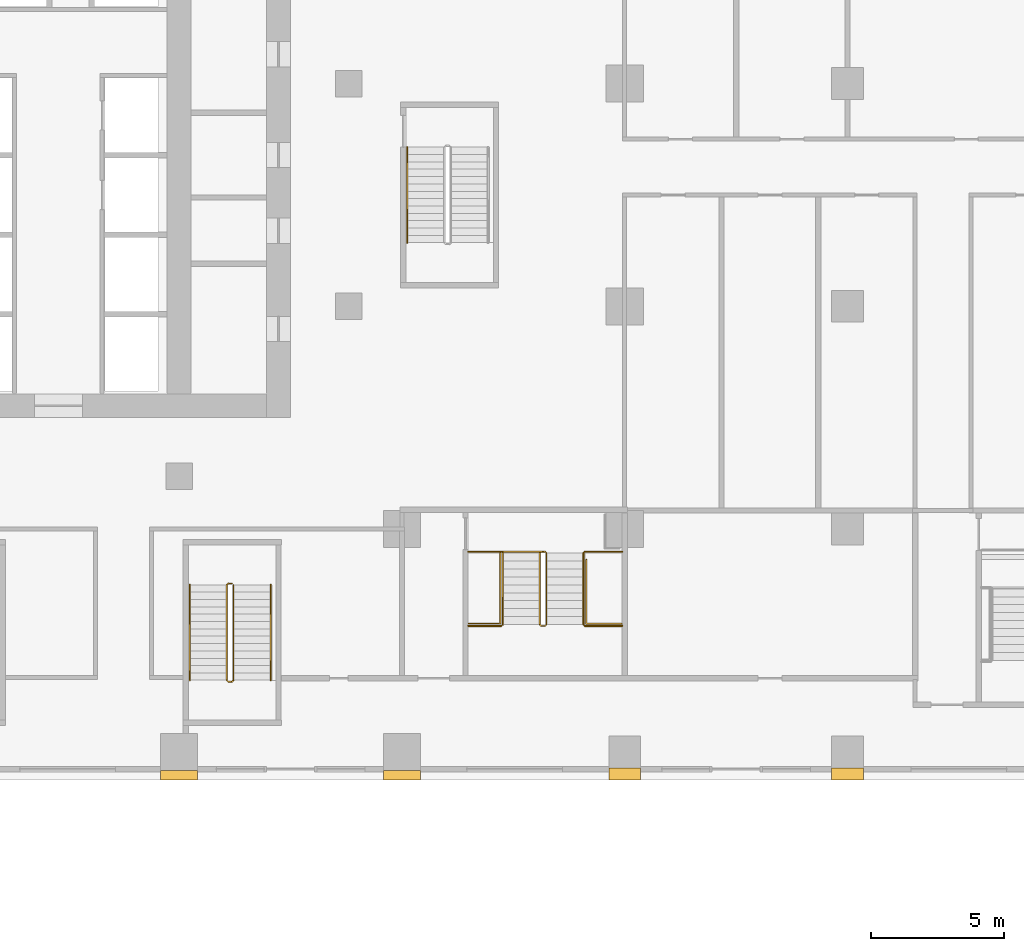
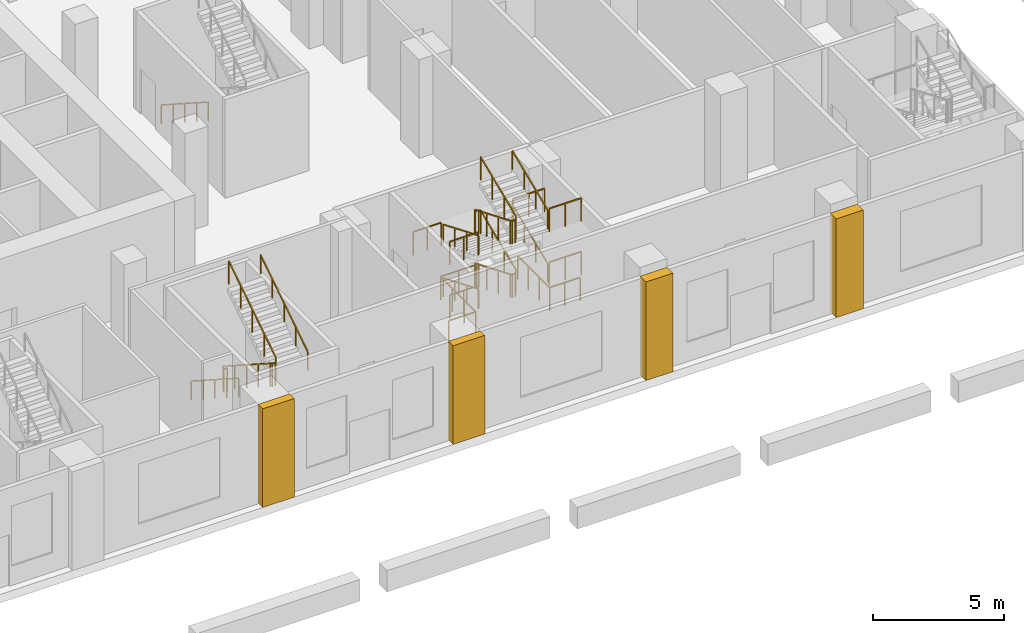
# One storey, part 15 of 21: 17 railings, 4 coverings.
"""IFC4 building model written with IfcOpenShell, lengths in metres."""

from ifc_helpers import new_model, si_unit, direction, frame, origin, origin_2d, place, context, subcontext, project, spatial, polyline, rectangle, outline, extrude, material, type_object, element, save


model = new_model("IFC4")

# Units and contexts
model_context = context("Model", 3, precision=1e-05, world=origin(), true_north=direction((0.0, 1.0)))
body_context = subcontext(model_context, "Body", "Model", "MODEL_VIEW")
ifc_project = project(units=[si_unit("LENGTHUNIT", "METRE"), si_unit("AREAUNIT", "SQUARE_METRE"), si_unit("VOLUMEUNIT", "CUBIC_METRE"), si_unit("PLANEANGLEUNIT", "RADIAN"), si_unit("MASSUNIT", "GRAM", prefix="KILO")], contexts=[model_context])

# Site, building, storey
site_placement = place(None, origin())
site = spatial("IfcSite", under=ifc_project, at=site_placement, CompositionType="ELEMENT")
building_placement = place(site_placement, origin())
building = spatial("IfcBuilding", under=site, at=building_placement, Name="Vermilion Ogive Tower", CompositionType="ELEMENT")
storey_placement = place(building_placement, frame((0.0, 0.0, 25.0)))
storey = spatial("IfcBuildingStorey", under=building, at=storey_placement, Name="L04", CompositionType="ELEMENT", Elevation=25.0)

# Railings
ifc_material_1 = material(Name="Steel S355 painted", Category="steel")
railing_type_1 = type_object("IfcRailingType", Name="Stair guard 1100", PredefinedType="GUARDRAIL", material=ifc_material_1)
railing_1_placement = place(storey_placement, frame((10.39990234375, -14.64990234375, 0.0)))
element("IfcRailing", 1, at=railing_1_placement, inside=storey, type_object=railing_type_1, Name="L04 ST5 stair guard 4", PredefinedType="GUARDRAIL", context=body_context, shape_type="SweptSolid", body=[
    extrude(rectangle(XDim=0.048095703125, YDim=0.048095703125, at=origin_2d()), frame((0.0, 0.0, 1.076171875), z_axis=(-1.0, 0.0, 0.0), x_axis=(0.0, -1.0, 0.0)), (0.0, 0.0, 1.0), 0.14990234375),
    extrude(rectangle(XDim=0.048095703125, YDim=0.048095703125, at=origin_2d()), frame((-0.14990234375, 0.0, 1.076171875), z_axis=(-0.260684529273, -0.260684529273, 0.929562882432), x_axis=(0.707106781187, -0.707106781187, 0.0)), (0.0, 0.0, 1.0), 0.19189453125),
    extrude(rectangle(XDim=0.048095703125, YDim=0.048095703125, at=origin_2d()), frame((-0.199951171875, -0.050048828125, 1.25439453125), z_axis=(0.0, -0.840414717549, 0.541943818607), x_axis=(1.0, 0.0, 0.0)), (0.0, 0.0, 1.0), 4.28369140625),
    extrude(rectangle(XDim=0.048095703125, YDim=0.048095703125, at=origin_2d()), frame((-0.199951171875, -3.650146484375, 3.576171875), z_axis=(0.707106781187, -0.707106781187, 0.0), x_axis=(0.707106781187, 0.707106781187, 0.0)), (0.0, 0.0, 1.0), 0.07080078125),
    extrude(rectangle(XDim=0.048095703125, YDim=0.048095703125, at=origin_2d()), frame((-0.14990234375, -3.7001953125, 3.576171875), z_axis=(1.0, 0.0, 0.0), x_axis=(0.0, 1.0, 0.0)), (0.0, 0.0, 1.0), 0.14990234375),
    extrude(rectangle(XDim=0.048095703125, YDim=0.048095703125, at=origin_2d()), frame((0.0, -3.7001953125, 3.576171875), z_axis=(0.260684529273, 0.260684529273, 0.929562882432), x_axis=(-0.707106781187, 0.707106781187, 0.0)), (0.0, 0.0, 1.0), 0.19189453125),
    extrude(rectangle(XDim=0.048095703125, YDim=0.048095703125, at=origin_2d()), frame((0.050048828125, -3.650146484375, 3.75439453125), z_axis=(0.0, 0.840414717549, 0.541943818607), x_axis=(-1.0, 0.0, 0.0)), (0.0, 0.0, 1.0), 4.28369140625),
    extrude(rectangle(XDim=0.0419921875, YDim=0.0419921875, at=origin_2d()), origin(), (0.0, 0.0, 1.0), 1.052001953125),
    extrude(rectangle(XDim=0.0419921875, YDim=0.0419921875, at=origin_2d()), frame((-0.14990234375, 0.0, 0.0)), (0.0, 0.0, 1.0), 1.052001953125),
    extrude(rectangle(XDim=0.0419921875, YDim=0.0419921875, at=origin_2d()), frame((-0.199951171875, -0.050048828125, 0.178466796875)), (0.0, 0.0, 1.0), 1.052001953125),
    extrude(rectangle(XDim=0.0419921875, YDim=0.0419921875, at=origin_2d()), frame((-0.199951171875, -0.9501953125, 0.7587890625)), (0.0, 0.0, 1.0), 1.052001953125),
    extrude(rectangle(XDim=0.0419921875, YDim=0.0419921875, at=origin_2d()), frame((-0.199951171875, -1.85009765625, 1.33935546875)), (0.0, 0.0, 1.0), 1.052001953125),
    extrude(rectangle(XDim=0.0419921875, YDim=0.0419921875, at=origin_2d()), frame((-0.199951171875, -2.75, 1.919677734375)), (0.0, 0.0, 1.0), 1.052001953125),
    extrude(rectangle(XDim=0.0419921875, YDim=0.0419921875, at=origin_2d()), frame((-0.199951171875, -3.650146484375, 2.5)), (0.0, 0.0, 1.0), 1.052001953125),
    extrude(rectangle(XDim=0.0419921875, YDim=0.0419921875, at=origin_2d()), frame((-0.14990234375, -3.7001953125, 2.5)), (0.0, 0.0, 1.0), 1.052001953125),
    extrude(rectangle(XDim=0.0419921875, YDim=0.0419921875, at=origin_2d()), frame((0.0, -3.7001953125, 2.5)), (0.0, 0.0, 1.0), 1.052001953125),
    extrude(rectangle(XDim=0.0419921875, YDim=0.0419921875, at=origin_2d()), frame((0.050048828125, -3.650146484375, 2.678466796875)), (0.0, 0.0, 1.0), 1.052001953125),
    extrude(rectangle(XDim=0.0419921875, YDim=0.0419921875, at=origin_2d()), frame((0.050048828125, -2.75, 3.2587890625)), (0.0, 0.0, 1.0), 1.052001953125),
    extrude(rectangle(XDim=0.0419921875, YDim=0.0419921875, at=origin_2d()), frame((0.050048828125, -1.85009765625, 3.83935546875)), (0.0, 0.0, 1.0), 1.052001953125),
    extrude(rectangle(XDim=0.0419921875, YDim=0.0419921875, at=origin_2d()), frame((0.050048828125, -0.9501953125, 4.419677734375)), (0.0, 0.0, 1.0), 1.052001953125),
    extrude(rectangle(XDim=0.0419921875, YDim=0.0419921875, at=origin_2d()), frame((0.050048828125, -0.050048828125, 5.0)), (0.0, 0.0, 1.0), 1.052001953125),
])
railing_2_placement = place(storey_placement, frame((22.199951171875, -13.449951171875, 0.0)))
element("IfcRailing", 2, at=railing_2_placement, inside=storey, type_object=railing_type_1, Name="L04 PS3 stair guard 8", PredefinedType="GUARDRAIL", context=body_context, shape_type="SweptSolid", body=[
    extrude(rectangle(XDim=0.048095703125, YDim=0.048095703125, at=origin_2d()), frame((0.0, 0.0, 1.076171875), z_axis=(-1.0, 0.0, 0.0), x_axis=(0.0, -1.0, 0.0)), (0.0, 0.0, 1.0), 0.14990234375),
    extrude(rectangle(XDim=0.048095703125, YDim=0.048095703125, at=origin_2d()), frame((-0.14990234375, 0.0, 1.076171875), z_axis=(-0.34841279274, -0.34841279274, 0.870182194549), x_axis=(0.707106781187, -0.707106781187, 0.0)), (0.0, 0.0, 1.0), 0.1435546875),
    extrude(rectangle(XDim=0.048095703125, YDim=0.048095703125, at=origin_2d()), frame((-0.199951171875, -0.050048828125, 1.201171875), z_axis=(0.0, -0.923074453586, 0.384621311341), x_axis=(1.0, 0.0, 0.0)), (0.0, 0.0, 1.0), 2.925048828125),
    extrude(rectangle(XDim=0.048095703125, YDim=0.048095703125, at=origin_2d()), frame((-0.199951171875, -2.75, 2.326171875), z_axis=(0.707106781187, -0.707106781187, 0.0), x_axis=(0.707106781187, 0.707106781187, 0.0)), (0.0, 0.0, 1.0), 0.07080078125),
    extrude(rectangle(XDim=0.048095703125, YDim=0.048095703125, at=origin_2d()), frame((-0.14990234375, -2.800048828125, 2.326171875), z_axis=(1.0, 0.0, 0.0), x_axis=(0.0, 1.0, 0.0)), (0.0, 0.0, 1.0), 0.14990234375),
    extrude(rectangle(XDim=0.048095703125, YDim=0.048095703125, at=origin_2d()), frame((0.0, -2.800048828125, 2.326171875), z_axis=(0.34841279274, 0.34841279274, 0.870182194549), x_axis=(-0.707106781187, 0.707106781187, 0.0)), (0.0, 0.0, 1.0), 0.1435546875),
    extrude(rectangle(XDim=0.048095703125, YDim=0.048095703125, at=origin_2d()), frame((0.050048828125, -2.75, 2.451171875), z_axis=(0.0, 0.923074453586, 0.384621311341), x_axis=(-1.0, 0.0, 0.0)), (0.0, 0.0, 1.0), 2.925048828125),
    extrude(rectangle(XDim=0.048095703125, YDim=0.048095703125, at=origin_2d()), frame((0.050048828125, -0.050048828125, 3.576171875), z_axis=(-0.707106781187, 0.707106781187, 0.0), x_axis=(-0.707106781187, -0.707106781187, 0.0)), (0.0, 0.0, 1.0), 0.07080078125),
    extrude(rectangle(XDim=0.048095703125, YDim=0.048095703125, at=origin_2d()), frame((0.0, 0.0, 3.576171875), z_axis=(-1.0, 0.0, 0.0), x_axis=(0.0, -1.0, 0.0)), (0.0, 0.0, 1.0), 0.14990234375),
    extrude(rectangle(XDim=0.048095703125, YDim=0.048095703125, at=origin_2d()), frame((-0.14990234375, 0.0, 3.576171875), z_axis=(-0.34841279274, -0.34841279274, 0.870182194549), x_axis=(0.707106781187, -0.707106781187, 0.0)), (0.0, 0.0, 1.0), 0.1435546875),
    extrude(rectangle(XDim=0.048095703125, YDim=0.048095703125, at=origin_2d()), frame((-0.199951171875, -0.050048828125, 3.701171875), z_axis=(0.0, -0.923074453586, 0.384621311341), x_axis=(1.0, 0.0, 0.0)), (0.0, 0.0, 1.0), 2.925048828125),
    extrude(rectangle(XDim=0.048095703125, YDim=0.048095703125, at=origin_2d()), frame((-0.199951171875, -2.75, 4.826171875), z_axis=(0.707106781187, -0.707106781187, 0.0), x_axis=(0.707106781187, 0.707106781187, 0.0)), (0.0, 0.0, 1.0), 0.07080078125),
    extrude(rectangle(XDim=0.048095703125, YDim=0.048095703125, at=origin_2d()), frame((-0.14990234375, -2.800048828125, 4.826171875), z_axis=(1.0, 0.0, 0.0), x_axis=(0.0, 1.0, 0.0)), (0.0, 0.0, 1.0), 0.14990234375),
    extrude(rectangle(XDim=0.048095703125, YDim=0.048095703125, at=origin_2d()), frame((0.0, -2.800048828125, 4.826171875), z_axis=(0.34841279274, 0.34841279274, 0.870182194549), x_axis=(-0.707106781187, 0.707106781187, 0.0)), (0.0, 0.0, 1.0), 0.1435546875),
    extrude(rectangle(XDim=0.048095703125, YDim=0.048095703125, at=origin_2d()), frame((0.050048828125, -2.75, 4.951171875), z_axis=(0.0, 0.923074453586, 0.384621311341), x_axis=(-1.0, 0.0, 0.0)), (0.0, 0.0, 1.0), 2.925048828125),
    extrude(rectangle(XDim=0.0419921875, YDim=0.0419921875, at=origin_2d()), origin(), (0.0, 0.0, 1.0), 1.052001953125),
    extrude(rectangle(XDim=0.0419921875, YDim=0.0419921875, at=origin_2d()), frame((-0.14990234375, 0.0, 0.0)), (0.0, 0.0, 1.0), 1.052001953125),
    extrude(rectangle(XDim=0.0419921875, YDim=0.0419921875, at=origin_2d()), frame((-0.199951171875, -0.050048828125, 0.125)), (0.0, 0.0, 1.0), 1.052001953125),
    extrude(rectangle(XDim=0.0419921875, YDim=0.0419921875, at=origin_2d()), frame((-0.199951171875, -0.949951171875, 0.5)), (0.0, 0.0, 1.0), 1.052001953125),
    extrude(rectangle(XDim=0.0419921875, YDim=0.0419921875, at=origin_2d()), frame((-0.199951171875, -1.85009765625, 0.875)), (0.0, 0.0, 1.0), 1.052001953125),
    extrude(rectangle(XDim=0.0419921875, YDim=0.0419921875, at=origin_2d()), frame((-0.199951171875, -2.75, 1.25)), (0.0, 0.0, 1.0), 1.052001953125),
    extrude(rectangle(XDim=0.0419921875, YDim=0.0419921875, at=origin_2d()), frame((-0.14990234375, -2.800048828125, 1.25)), (0.0, 0.0, 1.0), 1.052001953125),
    extrude(rectangle(XDim=0.0419921875, YDim=0.0419921875, at=origin_2d()), frame((0.0, -2.800048828125, 1.25)), (0.0, 0.0, 1.0), 1.052001953125),
    extrude(rectangle(XDim=0.0419921875, YDim=0.0419921875, at=origin_2d()), frame((0.050048828125, -2.75, 1.375)), (0.0, 0.0, 1.0), 1.052001953125),
    extrude(rectangle(XDim=0.0419921875, YDim=0.0419921875, at=origin_2d()), frame((0.050048828125, -1.85009765625, 1.75)), (0.0, 0.0, 1.0), 1.052001953125),
    extrude(rectangle(XDim=0.0419921875, YDim=0.0419921875, at=origin_2d()), frame((0.050048828125, -0.949951171875, 2.125)), (0.0, 0.0, 1.0), 1.052001953125),
    extrude(rectangle(XDim=0.0419921875, YDim=0.0419921875, at=origin_2d()), frame((0.050048828125, -0.050048828125, 2.5)), (0.0, 0.0, 1.0), 1.052001953125),
    extrude(rectangle(XDim=0.0419921875, YDim=0.0419921875, at=origin_2d()), frame((0.0, 0.0, 2.5)), (0.0, 0.0, 1.0), 1.052001953125),
    extrude(rectangle(XDim=0.0419921875, YDim=0.0419921875, at=origin_2d()), frame((-0.14990234375, 0.0, 2.5)), (0.0, 0.0, 1.0), 1.052001953125),
    extrude(rectangle(XDim=0.0419921875, YDim=0.0419921875, at=origin_2d()), frame((-0.199951171875, -0.050048828125, 2.625)), (0.0, 0.0, 1.0), 1.052001953125),
    extrude(rectangle(XDim=0.0419921875, YDim=0.0419921875, at=origin_2d()), frame((-0.199951171875, -0.949951171875, 3.0)), (0.0, 0.0, 1.0), 1.052001953125),
    extrude(rectangle(XDim=0.0419921875, YDim=0.0419921875, at=origin_2d()), frame((-0.199951171875, -1.85009765625, 3.375)), (0.0, 0.0, 1.0), 1.052001953125),
    extrude(rectangle(XDim=0.0419921875, YDim=0.0419921875, at=origin_2d()), frame((-0.199951171875, -2.75, 3.75)), (0.0, 0.0, 1.0), 1.052001953125),
    extrude(rectangle(XDim=0.0419921875, YDim=0.0419921875, at=origin_2d()), frame((-0.14990234375, -2.800048828125, 3.75)), (0.0, 0.0, 1.0), 1.052001953125),
    extrude(rectangle(XDim=0.0419921875, YDim=0.0419921875, at=origin_2d()), frame((0.0, -2.800048828125, 3.75)), (0.0, 0.0, 1.0), 1.052001953125),
    extrude(rectangle(XDim=0.0419921875, YDim=0.0419921875, at=origin_2d()), frame((0.050048828125, -2.75, 3.875)), (0.0, 0.0, 1.0), 1.052001953125),
    extrude(rectangle(XDim=0.0419921875, YDim=0.0419921875, at=origin_2d()), frame((0.050048828125, -1.85009765625, 4.25)), (0.0, 0.0, 1.0), 1.052001953125),
    extrude(rectangle(XDim=0.0419921875, YDim=0.0419921875, at=origin_2d()), frame((0.050048828125, -0.949951171875, 4.625)), (0.0, 0.0, 1.0), 1.052001953125),
    extrude(rectangle(XDim=0.0419921875, YDim=0.0419921875, at=origin_2d()), frame((0.050048828125, -0.050048828125, 5.0)), (0.0, 0.0, 1.0), 1.052001953125),
])
railing_3_placement = place(storey_placement, frame((19.300048828125, -16.25, 1.25)))
element("IfcRailing", 3, at=railing_3_placement, inside=storey, type_object=railing_type_1, Name="L04 landing guard", PredefinedType="GUARDRAIL", context=body_context, shape_type="SweptSolid", body=[
    extrude(rectangle(XDim=0.048095703125, YDim=0.048095703125, at=origin_2d()), frame((0.0, 0.0, 1.076171875), z_axis=(1.0, 0.0, 0.0), x_axis=(0.0, 1.0, 0.0)), (0.0, 0.0, 1.0), 1.25),
    extrude(rectangle(XDim=0.0419921875, YDim=0.0419921875, at=origin_2d()), origin(), (0.0, 0.0, 1.0), 1.052001953125),
    extrude(rectangle(XDim=0.0419921875, YDim=0.0419921875, at=origin_2d()), frame((0.625, 0.0, 0.0)), (0.0, 0.0, 1.0), 1.052001953125),
    extrude(rectangle(XDim=0.0419921875, YDim=0.0419921875, at=origin_2d()), frame((1.25, 0.0, 0.0)), (0.0, 0.0, 1.0), 1.052001953125),
])
railing_4_placement = place(storey_placement, frame((23.699951171875, -16.25, 1.25)))
element("IfcRailing", 4, at=railing_4_placement, inside=storey, type_object=railing_type_1, Name="L04 landing guard", PredefinedType="GUARDRAIL", context=body_context, shape_type="SweptSolid", body=[
    extrude(rectangle(XDim=0.048095703125, YDim=0.048095703125, at=origin_2d()), frame((0.0, 0.0, 1.076171875), z_axis=(1.0, 0.0, 0.0), x_axis=(0.0, 1.0, 0.0)), (0.0, 0.0, 1.0), 1.39990234375),
    extrude(rectangle(XDim=0.0419921875, YDim=0.0419921875, at=origin_2d()), origin(), (0.0, 0.0, 1.0), 1.052001953125),
    extrude(rectangle(XDim=0.0419921875, YDim=0.0419921875, at=origin_2d()), frame((0.699951171875, 0.0, 0.0)), (0.0, 0.0, 1.0), 1.052001953125),
    extrude(rectangle(XDim=0.0419921875, YDim=0.0419921875, at=origin_2d()), frame((1.39990234375, 0.0, 0.0)), (0.0, 0.0, 1.0), 1.052001953125),
])
railing_5_placement = place(storey_placement, frame((19.300048828125, -13.449951171875, 2.5)))
element("IfcRailing", 5, at=railing_5_placement, inside=storey, type_object=railing_type_1, Name="L04 landing guard", PredefinedType="GUARDRAIL", context=body_context, shape_type="SweptSolid", body=[
    extrude(rectangle(XDim=0.048095703125, YDim=0.048095703125, at=origin_2d()), frame((0.0, 0.0, 1.076171875), z_axis=(1.0, 0.0, 0.0), x_axis=(0.0, 1.0, 0.0)), (0.0, 0.0, 1.0), 1.25),
    extrude(rectangle(XDim=0.0419921875, YDim=0.0419921875, at=origin_2d()), origin(), (0.0, 0.0, 1.0), 1.052001953125),
    extrude(rectangle(XDim=0.0419921875, YDim=0.0419921875, at=origin_2d()), frame((0.625, 0.0, 0.0)), (0.0, 0.0, 1.0), 1.052001953125),
    extrude(rectangle(XDim=0.0419921875, YDim=0.0419921875, at=origin_2d()), frame((1.25, 0.0, 0.0)), (0.0, 0.0, 1.0), 1.052001953125),
])
railing_6_placement = place(storey_placement, frame((23.699951171875, -13.449951171875, 2.5)))
element("IfcRailing", 6, at=railing_6_placement, inside=storey, type_object=railing_type_1, Name="L04 landing guard", PredefinedType="GUARDRAIL", context=body_context, shape_type="SweptSolid", body=[
    extrude(rectangle(XDim=0.048095703125, YDim=0.048095703125, at=origin_2d()), frame((0.0, 0.0, 1.076171875), z_axis=(1.0, 0.0, 0.0), x_axis=(0.0, 1.0, 0.0)), (0.0, 0.0, 1.0), 1.39990234375),
    extrude(rectangle(XDim=0.0419921875, YDim=0.0419921875, at=origin_2d()), origin(), (0.0, 0.0, 1.0), 1.052001953125),
    extrude(rectangle(XDim=0.0419921875, YDim=0.0419921875, at=origin_2d()), frame((0.699951171875, 0.0, 0.0)), (0.0, 0.0, 1.0), 1.052001953125),
    extrude(rectangle(XDim=0.0419921875, YDim=0.0419921875, at=origin_2d()), frame((1.39990234375, 0.0, 0.0)), (0.0, 0.0, 1.0), 1.052001953125),
])
railing_7_placement = place(storey_placement, frame((19.300048828125, -16.25, 3.75)))
element("IfcRailing", 7, at=railing_7_placement, inside=storey, type_object=railing_type_1, Name="L04 landing guard", PredefinedType="GUARDRAIL", context=body_context, shape_type="SweptSolid", body=[
    extrude(rectangle(XDim=0.048095703125, YDim=0.048095703125, at=origin_2d()), frame((0.0, 0.0, 1.076171875), z_axis=(1.0, 0.0, 0.0), x_axis=(0.0, 1.0, 0.0)), (0.0, 0.0, 1.0), 1.25),
    extrude(rectangle(XDim=0.0419921875, YDim=0.0419921875, at=origin_2d()), origin(), (0.0, 0.0, 1.0), 1.052001953125),
    extrude(rectangle(XDim=0.0419921875, YDim=0.0419921875, at=origin_2d()), frame((0.625, 0.0, 0.0)), (0.0, 0.0, 1.0), 1.052001953125),
    extrude(rectangle(XDim=0.0419921875, YDim=0.0419921875, at=origin_2d()), frame((1.25, 0.0, 0.0)), (0.0, 0.0, 1.0), 1.052001953125),
])
railing_8_placement = place(storey_placement, frame((23.699951171875, -16.25, 3.75)))
element("IfcRailing", 8, at=railing_8_placement, inside=storey, type_object=railing_type_1, Name="L04 landing guard", PredefinedType="GUARDRAIL", context=body_context, shape_type="SweptSolid", body=[
    extrude(rectangle(XDim=0.048095703125, YDim=0.048095703125, at=origin_2d()), frame((0.0, 0.0, 1.076171875), z_axis=(1.0, 0.0, 0.0), x_axis=(0.0, 1.0, 0.0)), (0.0, 0.0, 1.0), 1.39990234375),
    extrude(rectangle(XDim=0.0419921875, YDim=0.0419921875, at=origin_2d()), origin(), (0.0, 0.0, 1.0), 1.052001953125),
    extrude(rectangle(XDim=0.0419921875, YDim=0.0419921875, at=origin_2d()), frame((0.699951171875, 0.0, 0.0)), (0.0, 0.0, 1.0), 1.052001953125),
    extrude(rectangle(XDim=0.0419921875, YDim=0.0419921875, at=origin_2d()), frame((1.39990234375, 0.0, 0.0)), (0.0, 0.0, 1.0), 1.052001953125),
])
railing_9_placement = place(storey_placement, frame((19.318115234375, -16.156982421875, 0.0)))
element("IfcRailing", 9, at=railing_9_placement, inside=storey, type_object=railing_type_1, Name="L04 stair opening guard", PredefinedType="GUARDRAIL", context=body_context, shape_type="SweptSolid", body=[
    extrude(rectangle(XDim=0.048095703125, YDim=0.048095703125, at=origin_2d()), frame((0.0, 0.0, 1.076171875), z_axis=(1.0, 0.0, 0.0), x_axis=(0.0, 1.0, 0.0)), (0.0, 0.0, 1.0), 1.190185546875),
    extrude(rectangle(XDim=0.048095703125, YDim=0.048095703125, at=origin_2d()), frame((1.190185546875, 0.0, 1.076171875), z_axis=(0.0, 1.0, 0.0), x_axis=(-1.0, 0.0, 0.0)), (0.0, 0.0, 1.0), 2.7001953125),
    extrude(rectangle(XDim=0.048095703125, YDim=0.048095703125, at=origin_2d()), frame((1.190185546875, 2.7001953125, 1.076171875), z_axis=(1.0, 0.0, 0.0), x_axis=(0.0, 1.0, 0.0)), (0.0, 0.0, 1.0), 1.60009765625),
    extrude(rectangle(XDim=0.0419921875, YDim=0.0419921875, at=origin_2d()), origin(), (0.0, 0.0, 1.0), 1.052001953125),
    extrude(rectangle(XDim=0.0419921875, YDim=0.0419921875, at=origin_2d()), frame((1.190185546875, 0.0, 0.0)), (0.0, 0.0, 1.0), 1.052001953125),
    extrude(rectangle(XDim=0.0419921875, YDim=0.0419921875, at=origin_2d()), frame((1.190185546875, 0.900146484375, 0.0)), (0.0, 0.0, 1.0), 1.052001953125),
    extrude(rectangle(XDim=0.0419921875, YDim=0.0419921875, at=origin_2d()), frame((1.190185546875, 1.800048828125, 0.0)), (0.0, 0.0, 1.0), 1.052001953125),
    extrude(rectangle(XDim=0.0419921875, YDim=0.0419921875, at=origin_2d()), frame((1.190185546875, 2.7001953125, 0.0)), (0.0, 0.0, 1.0), 1.052001953125),
    extrude(rectangle(XDim=0.0419921875, YDim=0.0419921875, at=origin_2d()), frame((1.990234375, 2.7001953125, 0.0)), (0.0, 0.0, 1.0), 1.052001953125),
    extrude(rectangle(XDim=0.0419921875, YDim=0.0419921875, at=origin_2d()), frame((2.790283203125, 2.7001953125, 0.0)), (0.0, 0.0, 1.0), 1.052001953125),
])
railing_10_placement = place(storey_placement, frame((23.75244140625, -13.746826171875, 0.0)))
element("IfcRailing", 10, at=railing_10_placement, inside=storey, type_object=railing_type_1, Name="L04 stair opening guard", PredefinedType="GUARDRAIL", context=body_context, shape_type="SweptSolid", body=[
    extrude(rectangle(XDim=0.048095703125, YDim=0.048095703125, at=origin_2d()), frame((0.0, 0.0, 1.076171875), z_axis=(0.0, -1.0, 0.0), x_axis=(1.0, 0.0, 0.0)), (0.0, 0.0, 1.0), 2.424072265625),
    extrude(rectangle(XDim=0.048095703125, YDim=0.048095703125, at=origin_2d()), frame((0.0, -2.424072265625, 1.076171875), z_axis=(1.0, 0.0, 0.0), x_axis=(0.0, 1.0, 0.0)), (0.0, 0.0, 1.0), 1.340087890625),
    extrude(rectangle(XDim=0.0419921875, YDim=0.0419921875, at=origin_2d()), origin(), (0.0, 0.0, 1.0), 1.052001953125),
    extrude(rectangle(XDim=0.0419921875, YDim=0.0419921875, at=origin_2d()), frame((0.0, -0.80810546875, 0.0)), (0.0, 0.0, 1.0), 1.052001953125),
    extrude(rectangle(XDim=0.0419921875, YDim=0.0419921875, at=origin_2d()), frame((0.0, -1.615966796875, 0.0)), (0.0, 0.0, 1.0), 1.052001953125),
    extrude(rectangle(XDim=0.0419921875, YDim=0.0419921875, at=origin_2d()), frame((0.0, -2.424072265625, 0.0)), (0.0, 0.0, 1.0), 1.052001953125),
    extrude(rectangle(XDim=0.0419921875, YDim=0.0419921875, at=origin_2d()), frame((0.669921875, -2.424072265625, 0.0)), (0.0, 0.0, 1.0), 1.052001953125),
    extrude(rectangle(XDim=0.0419921875, YDim=0.0419921875, at=origin_2d()), frame((1.340087890625, -2.424072265625, 0.0)), (0.0, 0.0, 1.0), 1.052001953125),
])
ifc_material_2 = material(Name="Stainless steel", Category="steel")
railing_type_2 = type_object("IfcRailingType", Name="Stair handrail 900", PredefinedType="HANDRAIL", material=ifc_material_2)
railing_11_placement = place(storey_placement, frame((8.800048828125, -14.699951171875, 0.178466796875)))
element("IfcRailing", 11, at=railing_11_placement, inside=storey, type_object=railing_type_2, Name="L04 ST5 stair handrail 1", PredefinedType="HANDRAIL", context=body_context, shape_type="SweptSolid", body=[
    extrude(rectangle(XDim=0.048095703125, YDim=0.048095703125, at=origin_2d()), frame((0.0, 0.0, 0.8759765625), z_axis=(0.0, -0.840414717549, 0.541943818607), x_axis=(1.0, 0.0, 0.0)), (0.0, 0.0, 1.0), 4.28369140625),
    extrude(rectangle(XDim=0.0419921875, YDim=0.0419921875, at=origin_2d()), origin(), (0.0, 0.0, 1.0), 0.851806640625),
    extrude(rectangle(XDim=0.0419921875, YDim=0.0419921875, at=origin_2d()), frame((0.0, -0.89990234375, 0.580322265625)), (0.0, 0.0, 1.0), 0.851806640625),
    extrude(rectangle(XDim=0.0419921875, YDim=0.0419921875, at=origin_2d()), frame((0.0, -1.800048828125, 1.16064453125)), (0.0, 0.0, 1.0), 0.851806640625),
    extrude(rectangle(XDim=0.0419921875, YDim=0.0419921875, at=origin_2d()), frame((0.0, -2.7001953125, 1.7412109375)), (0.0, 0.0, 1.0), 0.851806640625),
    extrude(rectangle(XDim=0.0419921875, YDim=0.0419921875, at=origin_2d()), frame((0.0, -3.60009765625, 2.321533203125)), (0.0, 0.0, 1.0), 0.851806640625),
])
railing_12_placement = place(storey_placement, frame((11.85009765625, -18.300048828125, 2.678466796875)))
element("IfcRailing", 12, at=railing_12_placement, inside=storey, type_object=railing_type_2, Name="L04 ST5 stair handrail 2", PredefinedType="HANDRAIL", context=body_context, shape_type="SweptSolid", body=[
    extrude(rectangle(XDim=0.048095703125, YDim=0.048095703125, at=origin_2d()), frame((0.0, 0.0, 0.8759765625), z_axis=(0.0, 0.840414717549, 0.541943818607), x_axis=(-1.0, 0.0, 0.0)), (0.0, 0.0, 1.0), 4.28369140625),
    extrude(rectangle(XDim=0.0419921875, YDim=0.0419921875, at=origin_2d()), origin(), (0.0, 0.0, 1.0), 0.851806640625),
    extrude(rectangle(XDim=0.0419921875, YDim=0.0419921875, at=origin_2d()), frame((0.0, 0.89990234375, 0.580322265625)), (0.0, 0.0, 1.0), 0.851806640625),
    extrude(rectangle(XDim=0.0419921875, YDim=0.0419921875, at=origin_2d()), frame((0.0, 1.800048828125, 1.16064453125)), (0.0, 0.0, 1.0), 0.851806640625),
    extrude(rectangle(XDim=0.0419921875, YDim=0.0419921875, at=origin_2d()), frame((0.0, 2.7001953125, 1.7412109375)), (0.0, 0.0, 1.0), 0.851806640625),
    extrude(rectangle(XDim=0.0419921875, YDim=0.0419921875, at=origin_2d()), frame((0.0, 3.60009765625, 2.321533203125)), (0.0, 0.0, 1.0), 0.851806640625),
])
railing_13_placement = place(storey_placement, frame((17.0, 1.800048828125, 0.178466796875)))
element("IfcRailing", 13, at=railing_13_placement, inside=storey, type_object=railing_type_2, Name="L04 ST8 stair handrail 1", PredefinedType="HANDRAIL", context=body_context, shape_type="SweptSolid", body=[
    extrude(rectangle(XDim=0.048095703125, YDim=0.048095703125, at=origin_2d()), frame((0.0, 0.0, 0.8759765625), z_axis=(0.0, -0.840414717549, 0.541943818607), x_axis=(1.0, 0.0, 0.0)), (0.0, 0.0, 1.0), 4.28369140625),
    extrude(rectangle(XDim=0.0419921875, YDim=0.0419921875, at=origin_2d()), origin(), (0.0, 0.0, 1.0), 0.851806640625),
    extrude(rectangle(XDim=0.0419921875, YDim=0.0419921875, at=origin_2d()), frame((0.0, -0.89990234375, 0.580322265625)), (0.0, 0.0, 1.0), 0.851806640625),
    extrude(rectangle(XDim=0.0419921875, YDim=0.0419921875, at=origin_2d()), frame((0.0, -1.800048828125, 1.16064453125)), (0.0, 0.0, 1.0), 0.851806640625),
    extrude(rectangle(XDim=0.0419921875, YDim=0.0419921875, at=origin_2d()), frame((0.0, -2.7001953125, 1.7412109375)), (0.0, 0.0, 1.0), 0.851806640625),
    extrude(rectangle(XDim=0.0419921875, YDim=0.0419921875, at=origin_2d()), frame((0.0, -3.60009765625, 2.321533203125)), (0.0, 0.0, 1.0), 0.851806640625),
])
railing_14_placement = place(storey_placement, frame((20.60009765625, -13.5, 0.125)))
element("IfcRailing", 14, at=railing_14_placement, inside=storey, type_object=railing_type_2, Name="L04 PS3 stair handrail 1", PredefinedType="HANDRAIL", context=body_context, shape_type="SweptSolid", body=[
    extrude(rectangle(XDim=0.048095703125, YDim=0.048095703125, at=origin_2d()), frame((0.0, 0.0, 0.8759765625), z_axis=(0.0, -0.923074453586, 0.384621311341), x_axis=(1.0, 0.0, 0.0)), (0.0, 0.0, 1.0), 2.925048828125),
    extrude(rectangle(XDim=0.0419921875, YDim=0.0419921875, at=origin_2d()), origin(), (0.0, 0.0, 1.0), 0.851806640625),
    extrude(rectangle(XDim=0.0419921875, YDim=0.0419921875, at=origin_2d()), frame((0.0, -0.89990234375, 0.375)), (0.0, 0.0, 1.0), 0.851806640625),
    extrude(rectangle(XDim=0.0419921875, YDim=0.0419921875, at=origin_2d()), frame((0.0, -1.800048828125, 0.75)), (0.0, 0.0, 1.0), 0.851806640625),
    extrude(rectangle(XDim=0.0419921875, YDim=0.0419921875, at=origin_2d()), frame((0.0, -2.699951171875, 1.125)), (0.0, 0.0, 1.0), 0.851806640625),
])
railing_15_placement = place(storey_placement, frame((23.64990234375, -16.199951171875, 1.375)))
element("IfcRailing", 15, at=railing_15_placement, inside=storey, type_object=railing_type_2, Name="L04 PS3 stair handrail 2", PredefinedType="HANDRAIL", context=body_context, shape_type="SweptSolid", body=[
    extrude(rectangle(XDim=0.048095703125, YDim=0.048095703125, at=origin_2d()), frame((0.0, 0.0, 0.8759765625), z_axis=(0.0, 0.923074453586, 0.384621311341), x_axis=(-1.0, 0.0, 0.0)), (0.0, 0.0, 1.0), 2.925048828125),
    extrude(rectangle(XDim=0.0419921875, YDim=0.0419921875, at=origin_2d()), origin(), (0.0, 0.0, 1.0), 0.851806640625),
    extrude(rectangle(XDim=0.0419921875, YDim=0.0419921875, at=origin_2d()), frame((0.0, 0.89990234375, 0.375)), (0.0, 0.0, 1.0), 0.851806640625),
    extrude(rectangle(XDim=0.0419921875, YDim=0.0419921875, at=origin_2d()), frame((0.0, 1.800048828125, 0.75)), (0.0, 0.0, 1.0), 0.851806640625),
    extrude(rectangle(XDim=0.0419921875, YDim=0.0419921875, at=origin_2d()), frame((0.0, 2.699951171875, 1.125)), (0.0, 0.0, 1.0), 0.851806640625),
])
railing_16_placement = place(storey_placement, frame((20.60009765625, -13.5, 2.625)))
element("IfcRailing", 16, at=railing_16_placement, inside=storey, type_object=railing_type_2, Name="L04 PS3 stair handrail 3", PredefinedType="HANDRAIL", context=body_context, shape_type="SweptSolid", body=[
    extrude(rectangle(XDim=0.048095703125, YDim=0.048095703125, at=origin_2d()), frame((0.0, 0.0, 0.8759765625), z_axis=(0.0, -0.923074453586, 0.384621311341), x_axis=(1.0, 0.0, 0.0)), (0.0, 0.0, 1.0), 2.925048828125),
    extrude(rectangle(XDim=0.0419921875, YDim=0.0419921875, at=origin_2d()), origin(), (0.0, 0.0, 1.0), 0.851806640625),
    extrude(rectangle(XDim=0.0419921875, YDim=0.0419921875, at=origin_2d()), frame((0.0, -0.89990234375, 0.375)), (0.0, 0.0, 1.0), 0.851806640625),
    extrude(rectangle(XDim=0.0419921875, YDim=0.0419921875, at=origin_2d()), frame((0.0, -1.800048828125, 0.75)), (0.0, 0.0, 1.0), 0.851806640625),
    extrude(rectangle(XDim=0.0419921875, YDim=0.0419921875, at=origin_2d()), frame((0.0, -2.699951171875, 1.125)), (0.0, 0.0, 1.0), 0.851806640625),
])
railing_17_placement = place(storey_placement, frame((23.64990234375, -16.199951171875, 3.875)))
element("IfcRailing", 17, at=railing_17_placement, inside=storey, type_object=railing_type_2, Name="L04 PS3 stair handrail 4", PredefinedType="HANDRAIL", context=body_context, shape_type="SweptSolid", body=[
    extrude(rectangle(XDim=0.048095703125, YDim=0.048095703125, at=origin_2d()), frame((0.0, 0.0, 0.8759765625), z_axis=(0.0, 0.923074453586, 0.384621311341), x_axis=(-1.0, 0.0, 0.0)), (0.0, 0.0, 1.0), 2.925048828125),
    extrude(rectangle(XDim=0.0419921875, YDim=0.0419921875, at=origin_2d()), origin(), (0.0, 0.0, 1.0), 0.851806640625),
    extrude(rectangle(XDim=0.0419921875, YDim=0.0419921875, at=origin_2d()), frame((0.0, 0.89990234375, 0.375)), (0.0, 0.0, 1.0), 0.851806640625),
    extrude(rectangle(XDim=0.0419921875, YDim=0.0419921875, at=origin_2d()), frame((0.0, 1.800048828125, 0.75)), (0.0, 0.0, 1.0), 0.851806640625),
    extrude(rectangle(XDim=0.0419921875, YDim=0.0419921875, at=origin_2d()), frame((0.0, 2.699951171875, 1.125)), (0.0, 0.0, 1.0), 0.851806640625),
])

# Coverings
ifc_material_3 = material(Name="Stone cladding", Category="masonry")
covering_type = type_object("IfcCoveringType", Name="Stone pier", PredefinedType="CLADDING", material=ifc_material_3)
covering_1_placement = place(storey_placement, origin())
element("IfcCovering", 18, at=covering_1_placement, inside=storey, type_object=covering_type, Name="Stone pier P+084-210", PredefinedType="CLADDING", context=body_context, shape_type="SweptSolid", body=[
    extrude(outline(polyline([(9.10009765625, -21.699951171875), (9.10009765625, -21.699951171875), (9.10009765625, -22.050048828125), (7.699951171875, -22.050048828125), (7.699951171875, -21.699951171875), (7.699951171875, -21.699951171875), (9.10009765625, -21.699951171875)])), origin(), (0.0, 0.0, 1.0), 4.60009765625),
])
covering_2_placement = place(storey_placement, origin())
element("IfcCovering", 19, at=covering_2_placement, inside=storey, type_object=covering_type, Name="Stone pier P+168-210", PredefinedType="CLADDING", context=body_context, shape_type="SweptSolid", body=[
    extrude(outline(polyline([(17.5, -21.699951171875), (17.5, -21.699951171875), (17.5, -22.050048828125), (16.10009765625, -22.050048828125), (16.10009765625, -21.699951171875), (16.10009765625, -21.699951171875), (17.5, -21.699951171875)])), origin(), (0.0, 0.0, 1.0), 4.60009765625),
])
covering_3_placement = place(storey_placement, origin())
element("IfcCovering", 20, at=covering_3_placement, inside=storey, type_object=covering_type, Name="Stone pier P+252-210", PredefinedType="CLADDING", context=body_context, shape_type="SweptSolid", body=[
    extrude(outline(polyline([(25.800048828125, -22.050048828125), (24.60009765625, -22.050048828125), (24.60009765625, -21.60009765625), (25.800048828125, -21.60009765625), (25.800048828125, -22.050048828125)])), origin(), (0.0, 0.0, 1.0), 4.60009765625),
])
covering_4_placement = place(storey_placement, origin())
element("IfcCovering", 21, at=covering_4_placement, inside=storey, type_object=covering_type, Name="Stone pier P+336-210", PredefinedType="CLADDING", context=body_context, shape_type="SweptSolid", body=[
    extrude(outline(polyline([(34.199951171875, -22.050048828125), (33.0, -22.050048828125), (33.0, -21.60009765625), (34.199951171875, -21.60009765625), (34.199951171875, -22.050048828125)])), origin(), (0.0, 0.0, 1.0), 4.60009765625),
])

save(model, "model.ifc")
